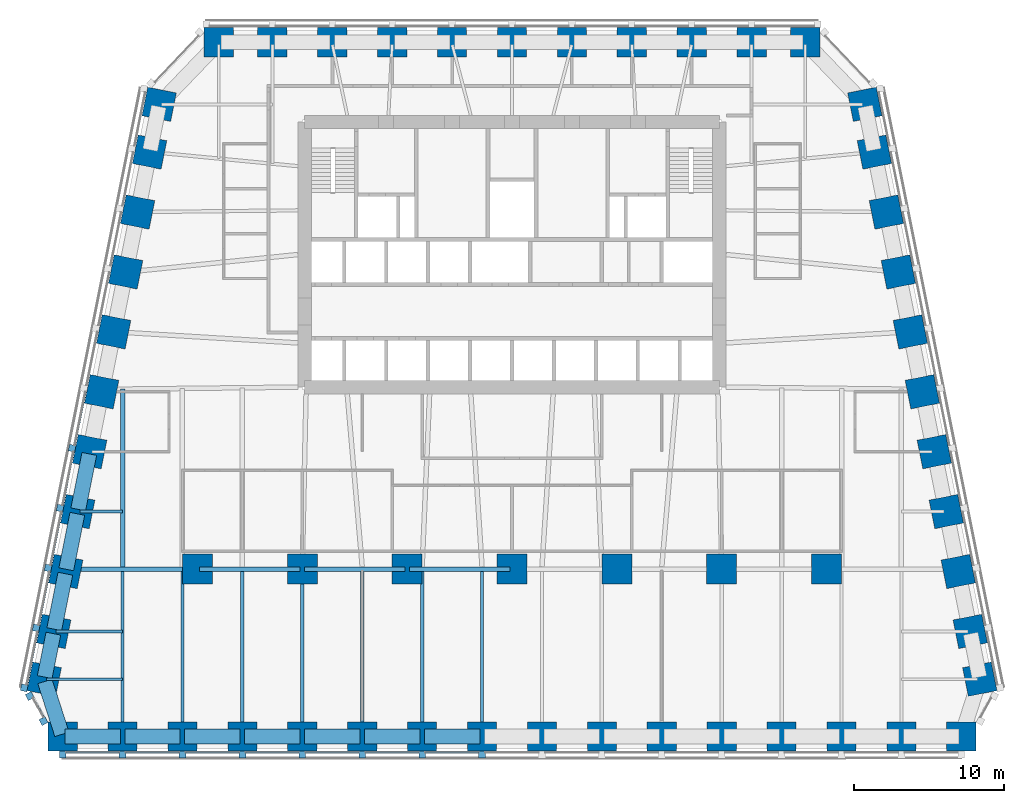
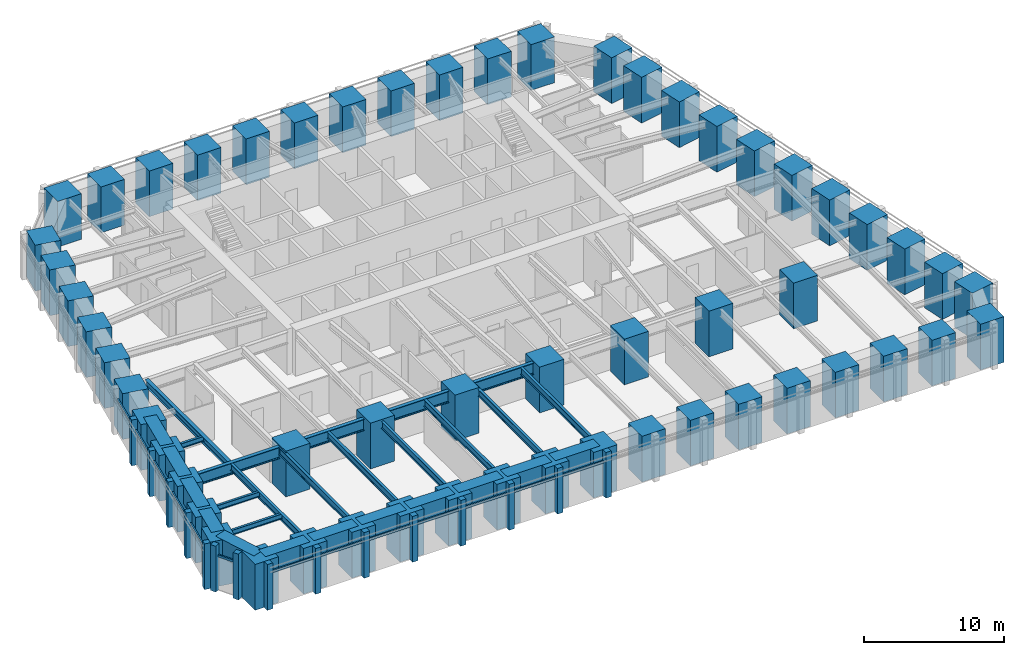
# One storey, part 1 of 10: 56 columns, 28 members, 27 beams, 3 elements without a shape of their own.
"""IFC4 building model written with IfcOpenShell, lengths in metres."""

from ifc_helpers import new_model, si_unit, direction, frame, origin, origin_2d, place, context, subcontext, project, spatial, rectangle, i_section, extrude, material, material_profile, profile_set, type_object, element, aggregate, save


model = new_model("IFC4")

# Units and contexts
model_context = context("Model", 3, precision=1e-05, world=origin(), true_north=direction((0.0, 1.0)))
body_context = subcontext(model_context, "Body", "Model", "MODEL_VIEW")
ifc_project = project(units=[si_unit("LENGTHUNIT", "METRE"), si_unit("AREAUNIT", "SQUARE_METRE"), si_unit("VOLUMEUNIT", "CUBIC_METRE"), si_unit("PLANEANGLEUNIT", "RADIAN"), si_unit("MASSUNIT", "GRAM", prefix="KILO")], contexts=[model_context])

# Site, building, storey
site_placement = place(None, origin())
site = spatial("IfcSite", under=ifc_project, at=site_placement, CompositionType="ELEMENT")
building_placement = place(site_placement, origin())
building = spatial("IfcBuilding", under=site, at=building_placement, Name="Isbrekke Arena Tower", CompositionType="ELEMENT")
storey_placement = place(building_placement, frame((0.0, 0.0, 72.0)))
storey = spatial("IfcBuildingStorey", under=building, at=storey_placement, Name="L15", CompositionType="ELEMENT", Elevation=72.0)

# Columns
ifc_material_1 = material(Name="Concrete B90 (C90/105)", Category="concrete")
ifc_material_profile_1 = material_profile(ifc_material_1, rectangle(XDim=2.0, YDim=2.0, at=origin_2d()), Name="RC 2000x2000")
ifc_profile_set_1 = profile_set([ifc_material_profile_1], Name="Concrete B90 (C90/105)")
column_type_1 = type_object("IfcColumnType", Name="C11 RC 2000 x 2000", PredefinedType="COLUMN", material=ifc_profile_set_1)
for number, where, z_axis, x_axis, name in (
    (1, (-21.0, -6.0, 0.0), (0.0, 0.0, 1.0), (1.0, 0.0, 0.0), "C11 I01"),
    (2, (-14.0, -6.0, 0.0), (0.0, 0.0, 1.0), (1.0, 0.0, 0.0), "C11 I02"),
    (3, (-7.0, -6.0, 0.0), (0.0, 0.0, 1.0), (1.0, 0.0, 0.0), "C11 I03"),
    (4, (0.0, -6.0, 0.0), (0.0, 0.0, 1.0), (1.0, 0.0, 0.0), "C11 I04"),
    (5, (7.0, -6.0, 0.0), (0.0, 0.0, 1.0), (1.0, 0.0, 0.0), "C11 I05"),
    (6, (14.0, -6.0, 0.0), (0.0, 0.0, 1.0), (1.0, 0.0, 0.0), "C11 I06"),
    (7, (21.0, -6.0, 0.0), (0.0, 0.0, 1.0), (1.0, 0.0, 0.0), "C11 I07"),
):
    element("IfcColumn", number, at=place(storey_placement, frame(where, z_axis=z_axis, x_axis=x_axis)), inside=storey, type_object=column_type_1, Name=name, PredefinedType="COLUMN", context=body_context, shape_type="SweptSolid", body=[
        extrude(rectangle(XDim=2.0, YDim=2.0, at=origin_2d()), origin(), (0.0, 0.0, 1.0), 4.0),
    ])
ifc_material_2 = material(Name="Concrete B90 (C90/105)", Category="concrete")
ifc_material_profile_2 = material_profile(ifc_material_2, rectangle(XDim=1.949951171875, YDim=1.949951171875, at=origin_2d()), Name="RC 1950x1950")
ifc_profile_set_2 = profile_set([ifc_material_profile_2], Name="Concrete B90 (C90/105)")
column_type_2 = type_object("IfcColumnType", Name="C2 RC 1950 x 1950", PredefinedType="COLUMN", material=ifc_profile_set_2)
for number, where, z_axis, x_axis, name in (
    (8, (-30.0, -17.175048828125, 0.0), (0.0, 0.0, 1.0), (1.0, 0.0, 0.0), "C2 S01"),
    (9, (-26.0, -17.175048828125, 0.0), (0.0, 0.0, 1.0), (1.0, 0.0, 0.0), "C2 S02"),
    (10, (-22.0, -17.175048828125, 0.0), (0.0, 0.0, 1.0), (1.0, 0.0, 0.0), "C2 S03"),
    (11, (-18.0, -17.175048828125, 0.0), (0.0, 0.0, 1.0), (1.0, 0.0, 0.0), "C2 S04"),
    (12, (-14.0, -17.175048828125, 0.0), (0.0, 0.0, 1.0), (1.0, 0.0, 0.0), "C2 S05"),
    (13, (-10.0, -17.175048828125, 0.0), (0.0, 0.0, 1.0), (1.0, 0.0, 0.0), "C2 S06"),
    (14, (-6.0, -17.175048828125, 0.0), (0.0, 0.0, 1.0), (1.0, 0.0, 0.0), "C2 S07"),
    (15, (-2.0, -17.175048828125, 0.0), (0.0, 0.0, 1.0), (1.0, 0.0, 0.0), "C2 S08"),
    (16, (2.0, -17.175048828125, 0.0), (0.0, 0.0, 1.0), (1.0, 0.0, 0.0), "C2 S09"),
    (17, (6.0, -17.175048828125, 0.0), (0.0, 0.0, 1.0), (1.0, 0.0, 0.0), "C2 S10"),
    (18, (10.0, -17.175048828125, 0.0), (0.0, 0.0, 1.0), (1.0, 0.0, 0.0), "C2 S11"),
    (19, (14.0, -17.175048828125, 0.0), (0.0, 0.0, 1.0), (1.0, 0.0, 0.0), "C2 S12"),
    (20, (18.0, -17.175048828125, 0.0), (0.0, 0.0, 1.0), (1.0, 0.0, 0.0), "C2 S13"),
    (21, (22.0, -17.175048828125, 0.0), (0.0, 0.0, 1.0), (1.0, 0.0, 0.0), "C2 S14"),
    (22, (26.0, -17.175048828125, 0.0), (0.0, 0.0, 1.0), (1.0, 0.0, 0.0), "C2 S15"),
    (23, (30.0, -17.175048828125, 0.0), (0.0, 0.0, 1.0), (1.0, 0.0, 0.0), "C2 S16"),
    (24, (31.229248046875, -13.352783203125, 0.0), (0.0, 0.0, 1.0), (-0.196116135138, 0.980580675691, 0.0), "C2 E01"),
    (25, (30.591064453125, -10.161865234375, 0.0), (0.0, 0.0, 1.0), (-0.196116135138, 0.980580675691, 0.0), "C2 E02"),
    (26, (29.791015625, -6.161865234375, 0.0), (0.0, 0.0, 1.0), (-0.196116135138, 0.980580675691, 0.0), "C2 E03"),
    (27, (28.990966796875, -2.161865234375, 0.0), (0.0, 0.0, 1.0), (-0.196116135138, 0.980580675691, 0.0), "C2 E04"),
    (28, (28.19091796875, 1.838134765625, 0.0), (0.0, 0.0, 1.0), (-0.196116135138, 0.980580675691, 0.0), "C2 E05"),
    (29, (27.39111328125, 5.838134765625, 0.0), (0.0, 0.0, 1.0), (-0.196116135138, 0.980580675691, 0.0), "C2 E06"),
    (30, (26.591064453125, 9.838134765625, 0.0), (0.0, 0.0, 1.0), (-0.196116135138, 0.980580675691, 0.0), "C2 E07"),
    (31, (25.791015625, 13.838134765625, 0.0), (0.0, 0.0, 1.0), (-0.196116135138, 0.980580675691, 0.0), "C2 E08"),
    (32, (24.990966796875, 17.838134765625, 0.0), (0.0, 0.0, 1.0), (-0.196116135138, 0.980580675691, 0.0), "C2 E09"),
    (33, (24.19091796875, 21.838134765625, 0.0), (0.0, 0.0, 1.0), (-0.196116135138, 0.980580675691, 0.0), "C2 E10"),
    (34, (23.552734375, 25.029296875, 0.0), (0.0, 0.0, 1.0), (-0.196116135138, 0.980580675691, 0.0), "C2 E11"),
    (35, (19.574951171875, 29.175048828125, 0.0), (0.0, 0.0, 1.0), (-1.0, 0.0, 0.0), "C2 N01"),
    (36, (16.0, 29.175048828125, 0.0), (0.0, 0.0, 1.0), (-1.0, 0.0, 0.0), "C2 N02"),
    (37, (12.0, 29.175048828125, 0.0), (0.0, 0.0, 1.0), (-1.0, 0.0, 0.0), "C2 N03"),
    (38, (8.0, 29.175048828125, 0.0), (0.0, 0.0, 1.0), (-1.0, 0.0, 0.0), "C2 N04"),
    (39, (4.0, 29.175048828125, 0.0), (0.0, 0.0, 1.0), (-1.0, 0.0, 0.0), "C2 N05"),
    (40, (0.0, 29.175048828125, 0.0), (0.0, 0.0, 1.0), (-1.0, 0.0, 0.0), "C2 N06"),
    (41, (-4.0, 29.175048828125, 0.0), (0.0, 0.0, 1.0), (-1.0, 0.0, 0.0), "C2 N07"),
    (42, (-8.0, 29.175048828125, 0.0), (0.0, 0.0, 1.0), (-1.0, 0.0, 0.0), "C2 N08"),
    (43, (-12.0, 29.175048828125, 0.0), (0.0, 0.0, 1.0), (-1.0, 0.0, 0.0), "C2 N09"),
    (44, (-16.0, 29.175048828125, 0.0), (0.0, 0.0, 1.0), (-1.0, 0.0, 0.0), "C2 N10"),
    (45, (-19.574951171875, 29.175048828125, 0.0), (0.0, 0.0, 1.0), (-1.0, 0.0, 0.0), "C2 N11"),
    (46, (-23.552734375, 25.029296875, 0.0), (0.0, 0.0, 1.0), (-0.196116135138, -0.980580675691, 0.0), "C2 W01"),
    (47, (-24.19091796875, 21.838134765625, 0.0), (0.0, 0.0, 1.0), (-0.196116135138, -0.980580675691, 0.0), "C2 W02"),
    (48, (-24.990966796875, 17.838134765625, 0.0), (0.0, 0.0, 1.0), (-0.196116135138, -0.980580675691, 0.0), "C2 W03"),
    (49, (-25.791015625, 13.838134765625, 0.0), (0.0, 0.0, 1.0), (-0.196116135138, -0.980580675691, 0.0), "C2 W04"),
    (50, (-26.591064453125, 9.838134765625, 0.0), (0.0, 0.0, 1.0), (-0.196116135138, -0.980580675691, 0.0), "C2 W05"),
    (51, (-27.39111328125, 5.838134765625, 0.0), (0.0, 0.0, 1.0), (-0.196116135138, -0.980580675691, 0.0), "C2 W06"),
    (52, (-28.19091796875, 1.838134765625, 0.0), (0.0, 0.0, 1.0), (-0.196116135138, -0.980580675691, 0.0), "C2 W07"),
    (53, (-28.990966796875, -2.161865234375, 0.0), (0.0, 0.0, 1.0), (-0.196116135138, -0.980580675691, 0.0), "C2 W08"),
    (54, (-29.791015625, -6.161865234375, 0.0), (0.0, 0.0, 1.0), (-0.196116135138, -0.980580675691, 0.0), "C2 W09"),
    (55, (-30.591064453125, -10.161865234375, 0.0), (0.0, 0.0, 1.0), (-0.196116135138, -0.980580675691, 0.0), "C2 W10"),
    (56, (-31.229248046875, -13.352783203125, 0.0), (0.0, 0.0, 1.0), (-0.196116135138, -0.980580675691, 0.0), "C2 W11"),
):
    element("IfcColumn", number, at=place(storey_placement, frame(where, z_axis=z_axis, x_axis=x_axis)), inside=storey, type_object=column_type_2, Name=name, PredefinedType="COLUMN", context=body_context, shape_type="SweptSolid", body=[
        extrude(rectangle(XDim=1.949951171875, YDim=1.949951171875, at=origin_2d()), origin(), (0.0, 0.0, 1.0), 4.0),
    ])

# Beams
ifc_material_3 = material(Name="Steel S355", Category="steel")
ifc_material_profile_3 = material_profile(ifc_material_3, i_section(OverallWidth=0.219970703125, OverallDepth=0.60009765625, WebThickness=0.011962890625, FlangeThickness=0.01904296875, FilletRadius=0.02392578125, at=origin_2d()), Name="IPE 600")
ifc_profile_set_3 = profile_set([ifc_material_profile_3], Name="Steel S355")
beam_type_1 = type_object("IfcBeamType", Name="B1 IPE 600", PredefinedType="BEAM", material=ifc_profile_set_3)
for number, where, z_axis, x_axis, name in (
    (57, (-26.0, -17.02490234375, 3.550048828125), (0.0, 1.0, 0.0), (-1.0, 0.0, 0.0), "B1 beam S-S02 L15"),
    (58, (-22.0, -17.02490234375, 3.550048828125), (0.0, 1.0, 0.0), (-1.0, 0.0, 0.0), "B1 beam S-S03 L15"),
    (59, (-18.0, -17.02490234375, 3.550048828125), (0.0, 1.0, 0.0), (-1.0, 0.0, 0.0), "B1 beam S-S04 L15"),
):
    element("IfcBeam", number, at=place(storey_placement, frame(where, z_axis=z_axis, x_axis=x_axis)), inside=storey, type_object=beam_type_1, Name=name, PredefinedType="BEAM", context=body_context, shape_type="SweptSolid", body=[
        extrude(i_section(OverallWidth=0.219970703125, OverallDepth=0.60009765625, WebThickness=0.011962890625, FlangeThickness=0.01904296875, FilletRadius=0.02392578125, at=origin_2d()), origin(), (0.0, 0.0, 1.0), 10.8740234375),
    ])
beam_1_placement = place(storey_placement, frame((-14.0, -17.02490234375, 3.550048828125), z_axis=(0.0, 1.0, 0.0), x_axis=(-1.0, 0.0, 0.0)))
element("IfcBeam", 60, at=beam_1_placement, inside=storey, type_object=beam_type_1, Name="B1 beam S-S05 L15", PredefinedType="BEAM", context=body_context, shape_type="SweptSolid", body=[
    extrude(i_section(OverallWidth=0.219970703125, OverallDepth=0.60009765625, WebThickness=0.011962890625, FlangeThickness=0.01904296875, FilletRadius=0.02392578125, at=origin_2d()), origin(), (0.0, 0.0, 1.0), 10.875),
])
for number, where, z_axis, x_axis, name in (
    (61, (-10.0, -17.02490234375, 3.550048828125), (0.0, 1.0, 0.0), (-1.0, 0.0, 0.0), "B1 beam S-S06 L15"),
    (62, (-6.0, -17.02490234375, 3.550048828125), (0.0, 1.0, 0.0), (-1.0, 0.0, 0.0), "B1 beam S-S07 L15"),
    (63, (-2.0, -17.02490234375, 3.550048828125), (0.0, 1.0, 0.0), (-1.0, 0.0, 0.0), "B1 beam S-S08 L15"),
):
    element("IfcBeam", number, at=place(storey_placement, frame(where, z_axis=z_axis, x_axis=x_axis)), inside=storey, type_object=beam_type_1, Name=name, PredefinedType="BEAM", context=body_context, shape_type="SweptSolid", body=[
        extrude(i_section(OverallWidth=0.219970703125, OverallDepth=0.60009765625, WebThickness=0.011962890625, FlangeThickness=0.01904296875, FilletRadius=0.02392578125, at=origin_2d()), origin(), (0.0, 0.0, 1.0), 10.8740234375),
    ])
ifc_material_4 = material(Name="Steel S355", Category="steel")
ifc_material_profile_4 = material_profile(ifc_material_4, i_section(OverallWidth=0.18994140625, OverallDepth=0.449951171875, WebThickness=0.009521484375, FlangeThickness=0.0146484375, FilletRadius=0.02099609375, at=origin_2d()), Name="IPE 450")
ifc_profile_set_4 = profile_set([ifc_material_profile_4], Name="Steel S355")
beam_type_2 = type_object("IfcBeamType", Name="B2 IPE 450", PredefinedType="BEAM", material=ifc_profile_set_4)
beam_2_placement = place(storey_placement, frame((-28.841064453125, -2.161865234375, 3.625), z_axis=(1.0, 0.0, 0.0), x_axis=(0.0, 1.0, 0.0)))
element("IfcBeam", 64, at=beam_2_placement, inside=storey, type_object=beam_type_2, Name="B2 beam E-W08 L15", PredefinedType="BEAM", context=body_context, shape_type="SweptSolid", body=[
    extrude(i_section(OverallWidth=0.18994140625, OverallDepth=0.449951171875, WebThickness=0.009521484375, FlangeThickness=0.0146484375, FilletRadius=0.02099609375, at=origin_2d()), origin(), (0.0, 0.0, 1.0), 2.841064453125),
])
beam_3_placement = place(storey_placement, frame((-30.44091796875, -10.161865234375, 3.625), z_axis=(1.0, 0.0, 0.0), x_axis=(0.0, 1.0, 0.0)))
element("IfcBeam", 65, at=beam_3_placement, inside=storey, type_object=beam_type_2, Name="B2 beam E-W10 L15", PredefinedType="BEAM", context=body_context, shape_type="SweptSolid", body=[
    extrude(i_section(OverallWidth=0.18994140625, OverallDepth=0.449951171875, WebThickness=0.009521484375, FlangeThickness=0.0146484375, FilletRadius=0.02099609375, at=origin_2d()), origin(), (0.0, 0.0, 1.0), 4.44091796875),
])
beam_4_placement = place(storey_placement, frame((-31.079345703125, -13.352783203125, 3.625), z_axis=(1.0, 0.0, 0.0), x_axis=(0.0, 1.0, 0.0)))
element("IfcBeam", 66, at=beam_4_placement, inside=storey, type_object=beam_type_2, Name="B2 beam E-W11 L15", PredefinedType="BEAM", context=body_context, shape_type="SweptSolid", body=[
    extrude(i_section(OverallWidth=0.18994140625, OverallDepth=0.449951171875, WebThickness=0.009521484375, FlangeThickness=0.0146484375, FilletRadius=0.02099609375, at=origin_2d()), origin(), (0.0, 0.0, 1.0), 5.079345703125),
])
ifc_material_5 = material(Name="Steel S355", Category="steel")
ifc_material_profile_5 = material_profile(ifc_material_5, i_section(OverallWidth=0.300048828125, OverallDepth=0.60009765625, WebThickness=0.015380859375, FlangeThickness=0.030029296875, FilletRadius=0.027099609375, at=origin_2d()), Name="HEB 600")
ifc_profile_set_5 = profile_set([ifc_material_profile_5], Name="Steel S355")
beam_type_3 = type_object("IfcBeamType", Name="B7 HEB 600", PredefinedType="BEAM", material=ifc_profile_set_5)
beam_5_placement = place(storey_placement, frame((-26.0, -5.84912109375, 3.550048828125), z_axis=(0.0, 1.0, 0.0), x_axis=(-1.0, 0.0, 0.0)))
element("IfcBeam", 67, at=beam_5_placement, inside=storey, type_object=beam_type_3, Name="B7 beam C-M01 L15", PredefinedType="BEAM", context=body_context, shape_type="SweptSolid", body=[
    extrude(i_section(OverallWidth=0.300048828125, OverallDepth=0.60009765625, WebThickness=0.015380859375, FlangeThickness=0.030029296875, FilletRadius=0.027099609375, at=origin_2d()), origin(), (0.0, 0.0, 1.0), 11.864990234375),
])

# Curtain wall, members
ifc_material_6 = material(Name="Glazed aluminium curtain wall", Category="aluminium")
curtain_wall_type = type_object("IfcCurtainWallType", Name="CWL TOWER CURTAIN WALL LOW ZONE", PredefinedType="USERDEFINED", material=ifc_material_6)
curtain_wall_1_placement = place(storey_placement, origin())
curtain_wall_1 = element("IfcCurtainWall", 68, at=curtain_wall_1_placement, inside=storey, type_object=curtain_wall_type, Name="CWL curtain wall L15-S", ObjectType="TOWER CURTAIN WALL LOW ZONE", PredefinedType="USERDEFINED")
ifc_material_7 = material(Name="Aluminium mullion, pale brick slip cladding", Category="masonry")
ifc_material_profile_6 = material_profile(ifc_material_7, rectangle(XDim=0.449951171875, YDim=0.449951171875, at=origin_2d()), Name="PIER 450X450")
ifc_profile_set_6 = profile_set([ifc_material_profile_6], Name="Aluminium mullion, pale brick slip cladding")
member_type_1 = type_object("IfcMemberType", Name="CWL-M PIER MULLION 450 x 450", PredefinedType="MULLION", material=ifc_profile_set_6)
member_1_placement = place(storey_placement, frame((-30.0, -18.375, 0.0), z_axis=(0.0, 0.0, 1.0), x_axis=(1.0, 0.0, 0.0)))
member_1 = element("IfcMember", 69, at=member_1_placement, type_object=member_type_1, Name="CWL-M mullion 1", PredefinedType="MULLION", context=body_context, shape_type="SweptSolid", body=[
    extrude(rectangle(XDim=0.449951171875, YDim=0.449951171875, at=origin_2d()), origin(), (0.0, 0.0, 1.0), 4.0),
])
member_2_placement = place(storey_placement, frame((-26.0, -18.375, 0.0), z_axis=(0.0, 0.0, 1.0), x_axis=(1.0, 0.0, 0.0)))
member_2 = element("IfcMember", 70, at=member_2_placement, type_object=member_type_1, Name="CWL-M mullion 2", PredefinedType="MULLION", context=body_context, shape_type="SweptSolid", body=[
    extrude(rectangle(XDim=0.449951171875, YDim=0.449951171875, at=origin_2d()), origin(), (0.0, 0.0, 1.0), 4.0),
])
member_3_placement = place(storey_placement, frame((-22.0, -18.375, 0.0), z_axis=(0.0, 0.0, 1.0), x_axis=(1.0, 0.0, 0.0)))
member_3 = element("IfcMember", 71, at=member_3_placement, type_object=member_type_1, Name="CWL-M mullion 3", PredefinedType="MULLION", context=body_context, shape_type="SweptSolid", body=[
    extrude(rectangle(XDim=0.449951171875, YDim=0.449951171875, at=origin_2d()), origin(), (0.0, 0.0, 1.0), 4.0),
])
member_4_placement = place(storey_placement, frame((-18.0, -18.375, 0.0), z_axis=(0.0, 0.0, 1.0), x_axis=(1.0, 0.0, 0.0)))
member_4 = element("IfcMember", 72, at=member_4_placement, type_object=member_type_1, Name="CWL-M mullion 4", PredefinedType="MULLION", context=body_context, shape_type="SweptSolid", body=[
    extrude(rectangle(XDim=0.449951171875, YDim=0.449951171875, at=origin_2d()), origin(), (0.0, 0.0, 1.0), 4.0),
])
member_5_placement = place(storey_placement, frame((-14.0, -18.375, 0.0), z_axis=(0.0, 0.0, 1.0), x_axis=(1.0, 0.0, 0.0)))
member_5 = element("IfcMember", 73, at=member_5_placement, type_object=member_type_1, Name="CWL-M mullion 5", PredefinedType="MULLION", context=body_context, shape_type="SweptSolid", body=[
    extrude(rectangle(XDim=0.449951171875, YDim=0.449951171875, at=origin_2d()), origin(), (0.0, 0.0, 1.0), 4.0),
])
member_6_placement = place(storey_placement, frame((-10.0, -18.375, 0.0), z_axis=(0.0, 0.0, 1.0), x_axis=(1.0, 0.0, 0.0)))
member_6 = element("IfcMember", 74, at=member_6_placement, type_object=member_type_1, Name="CWL-M mullion 6", PredefinedType="MULLION", context=body_context, shape_type="SweptSolid", body=[
    extrude(rectangle(XDim=0.449951171875, YDim=0.449951171875, at=origin_2d()), origin(), (0.0, 0.0, 1.0), 4.0),
])
member_7_placement = place(storey_placement, frame((-6.0, -18.375, 0.0), z_axis=(0.0, 0.0, 1.0), x_axis=(1.0, 0.0, 0.0)))
member_7 = element("IfcMember", 75, at=member_7_placement, type_object=member_type_1, Name="CWL-M mullion 7", PredefinedType="MULLION", context=body_context, shape_type="SweptSolid", body=[
    extrude(rectangle(XDim=0.449951171875, YDim=0.449951171875, at=origin_2d()), origin(), (0.0, 0.0, 1.0), 4.0),
])
member_8_placement = place(storey_placement, frame((-2.0, -18.375, 0.0), z_axis=(0.0, 0.0, 1.0), x_axis=(1.0, 0.0, 0.0)))
member_8 = element("IfcMember", 76, at=member_8_placement, type_object=member_type_1, Name="CWL-M mullion 8", PredefinedType="MULLION", context=body_context, shape_type="SweptSolid", body=[
    extrude(rectangle(XDim=0.449951171875, YDim=0.449951171875, at=origin_2d()), origin(), (0.0, 0.0, 1.0), 4.0),
])

curtain_wall_2_placement = place(storey_placement, origin())
curtain_wall_2 = element("IfcCurtainWall", 77, at=curtain_wall_2_placement, inside=storey, type_object=curtain_wall_type, Name="CWL curtain wall L15-W", ObjectType="TOWER CURTAIN WALL LOW ZONE", PredefinedType="USERDEFINED")
member_9_placement = place(storey_placement, frame((-29.36767578125, 2.073486328125, 0.0), z_axis=(0.0, 0.0, 1.0), x_axis=(-0.196116135138, -0.980580675691, 0.0)))
member_9 = element("IfcMember", 78, at=member_9_placement, type_object=member_type_1, Name="CWL-M mullion 7", PredefinedType="MULLION", context=body_context, shape_type="SweptSolid", body=[
    extrude(rectangle(XDim=0.449951171875, YDim=0.449951171875, at=origin_2d()), origin(), (0.0, 0.0, 1.0), 4.0),
])
member_10_placement = place(storey_placement, frame((-30.167724609375, -1.926513671875, 0.0), z_axis=(0.0, 0.0, 1.0), x_axis=(-0.196116135138, -0.980580675691, 0.0)))
member_10 = element("IfcMember", 79, at=member_10_placement, type_object=member_type_1, Name="CWL-M mullion 8", PredefinedType="MULLION", context=body_context, shape_type="SweptSolid", body=[
    extrude(rectangle(XDim=0.449951171875, YDim=0.449951171875, at=origin_2d()), origin(), (0.0, 0.0, 1.0), 4.0),
])
member_11_placement = place(storey_placement, frame((-30.9677734375, -5.926513671875, 0.0), z_axis=(0.0, 0.0, 1.0), x_axis=(-0.196116135138, -0.980580675691, 0.0)))
member_11 = element("IfcMember", 80, at=member_11_placement, type_object=member_type_1, Name="CWL-M mullion 9", PredefinedType="MULLION", context=body_context, shape_type="SweptSolid", body=[
    extrude(rectangle(XDim=0.449951171875, YDim=0.449951171875, at=origin_2d()), origin(), (0.0, 0.0, 1.0), 4.0),
])
member_12_placement = place(storey_placement, frame((-31.767822265625, -9.926513671875, 0.0), z_axis=(0.0, 0.0, 1.0), x_axis=(-0.196116135138, -0.980580675691, 0.0)))
member_12 = element("IfcMember", 81, at=member_12_placement, type_object=member_type_1, Name="CWL-M mullion 10", PredefinedType="MULLION", context=body_context, shape_type="SweptSolid", body=[
    extrude(rectangle(XDim=0.449951171875, YDim=0.449951171875, at=origin_2d()), origin(), (0.0, 0.0, 1.0), 4.0),
])
member_13_placement = place(storey_placement, frame((-32.567626953125, -13.926513671875, 0.0), z_axis=(0.0, 0.0, 1.0), x_axis=(-0.196116135138, -0.980580675691, 0.0)))
member_13 = element("IfcMember", 82, at=member_13_placement, type_object=member_type_1, Name="CWL-M mullion 11", PredefinedType="MULLION", context=body_context, shape_type="SweptSolid", body=[
    extrude(rectangle(XDim=0.449951171875, YDim=0.449951171875, at=origin_2d()), origin(), (0.0, 0.0, 1.0), 4.0),
])

curtain_wall_3_placement = place(storey_placement, origin())
curtain_wall_3 = element("IfcCurtainWall", 83, at=curtain_wall_3_placement, inside=storey, type_object=curtain_wall_type, Name="CWL curtain wall L15-WS", ObjectType="TOWER CURTAIN WALL LOW ZONE", PredefinedType="USERDEFINED")
member_14_placement = place(storey_placement, frame((-32.19580078125, -14.474609375, 0.0), z_axis=(0.0, 0.0, 1.0), x_axis=(0.481918749773, -0.876215908676, 0.0)))
member_14 = element("IfcMember", 84, at=member_14_placement, type_object=member_type_1, Name="CWL-M mullion 1", PredefinedType="MULLION", context=body_context, shape_type="SweptSolid", body=[
    extrude(rectangle(XDim=0.449951171875, YDim=0.449951171875, at=origin_2d()), origin(), (0.0, 0.0, 1.0), 4.0),
])
member_15_placement = place(storey_placement, frame((-31.277587890625, -16.14404296875, 0.0), z_axis=(0.0, 0.0, 1.0), x_axis=(0.481918749773, -0.876215908676, 0.0)))
member_15 = element("IfcMember", 85, at=member_15_placement, type_object=member_type_1, Name="CWL-M mullion 2", PredefinedType="MULLION", context=body_context, shape_type="SweptSolid", body=[
    extrude(rectangle(XDim=0.449951171875, YDim=0.449951171875, at=origin_2d()), origin(), (0.0, 0.0, 1.0), 4.0),
])

# Member
ifc_material_8 = material(Name="Aluminium transom", Category="aluminium")
ifc_material_profile_7 = material_profile(ifc_material_8, rectangle(XDim=0.1201171875, YDim=0.199951171875, at=origin_2d()), Name="TRANSOM 120X200")
ifc_profile_set_7 = profile_set([ifc_material_profile_7], Name="Aluminium transom")
member_type_2 = type_object("IfcMemberType", Name="CWL-T TRANSOM 120 x 200", PredefinedType="USERDEFINED", material=ifc_profile_set_7)
member_16_placement = place(storey_placement, frame((-29.77490234375, -18.25, 3.0), z_axis=(1.0, 0.0, 0.0), x_axis=(0.0, 1.0, 0.0)))
member_16 = element("IfcMember", 86, at=member_16_placement, type_object=member_type_2, Name="CWL-T transom 1", ObjectType="TRANSOM", PredefinedType="USERDEFINED", context=body_context, shape_type="SweptSolid", body=[
    extrude(rectangle(XDim=0.1201171875, YDim=0.199951171875, at=origin_2d()), origin(), (0.0, 0.0, 1.0), 3.5498046875),
])

member_17_placement = place(storey_placement, frame((-25.77490234375, -18.25, 3.0), z_axis=(1.0, 0.0, 0.0), x_axis=(0.0, 1.0, 0.0)))
member_17 = element("IfcMember", 87, at=member_17_placement, type_object=member_type_2, Name="CWL-T transom 2", ObjectType="TRANSOM", PredefinedType="USERDEFINED", context=body_context, shape_type="SweptSolid", body=[
    extrude(rectangle(XDim=0.1201171875, YDim=0.199951171875, at=origin_2d()), origin(), (0.0, 0.0, 1.0), 3.5498046875),
])

member_18_placement = place(storey_placement, frame((-21.77490234375, -18.25, 3.0), z_axis=(1.0, 0.0, 0.0), x_axis=(0.0, 1.0, 0.0)))
member_18 = element("IfcMember", 88, at=member_18_placement, type_object=member_type_2, Name="CWL-T transom 3", ObjectType="TRANSOM", PredefinedType="USERDEFINED", context=body_context, shape_type="SweptSolid", body=[
    extrude(rectangle(XDim=0.1201171875, YDim=0.199951171875, at=origin_2d()), origin(), (0.0, 0.0, 1.0), 3.5498046875),
])

member_19_placement = place(storey_placement, frame((-17.77490234375, -18.25, 3.0), z_axis=(1.0, 0.0, 0.0), x_axis=(0.0, 1.0, 0.0)))
member_19 = element("IfcMember", 89, at=member_19_placement, type_object=member_type_2, Name="CWL-T transom 4", ObjectType="TRANSOM", PredefinedType="USERDEFINED", context=body_context, shape_type="SweptSolid", body=[
    extrude(rectangle(XDim=0.1201171875, YDim=0.199951171875, at=origin_2d()), origin(), (0.0, 0.0, 1.0), 3.5498046875),
])

member_20_placement = place(storey_placement, frame((-13.77490234375, -18.25, 3.0), z_axis=(1.0, 0.0, 0.0), x_axis=(0.0, 1.0, 0.0)))
member_20 = element("IfcMember", 90, at=member_20_placement, type_object=member_type_2, Name="CWL-T transom 5", ObjectType="TRANSOM", PredefinedType="USERDEFINED", context=body_context, shape_type="SweptSolid", body=[
    extrude(rectangle(XDim=0.1201171875, YDim=0.199951171875, at=origin_2d()), origin(), (0.0, 0.0, 1.0), 3.5498046875),
])

member_21_placement = place(storey_placement, frame((-9.77490234375, -18.25, 3.0), z_axis=(1.0, 0.0, 0.0), x_axis=(0.0, 1.0, 0.0)))
member_21 = element("IfcMember", 91, at=member_21_placement, type_object=member_type_2, Name="CWL-T transom 6", ObjectType="TRANSOM", PredefinedType="USERDEFINED", context=body_context, shape_type="SweptSolid", body=[
    extrude(rectangle(XDim=0.1201171875, YDim=0.199951171875, at=origin_2d()), origin(), (0.0, 0.0, 1.0), 3.5498046875),
])

member_22_placement = place(storey_placement, frame((-5.77490234375, -18.25, 3.0), z_axis=(1.0, 0.0, 0.0), x_axis=(0.0, 1.0, 0.0)))
member_22 = element("IfcMember", 92, at=member_22_placement, type_object=member_type_2, Name="CWL-T transom 7", ObjectType="TRANSOM", PredefinedType="USERDEFINED", context=body_context, shape_type="SweptSolid", body=[
    extrude(rectangle(XDim=0.1201171875, YDim=0.199951171875, at=origin_2d()), origin(), (0.0, 0.0, 1.0), 3.5498046875),
])

aggregate(curtain_wall_1, [member_1, member_2, member_3, member_4, member_5, member_6, member_7, member_8, member_16, member_17, member_18, member_19, member_20, member_21, member_22])

member_23_placement = place(storey_placement, frame((-28.4892578125, 5.828369140625, 3.0), z_axis=(-0.196103197847, -0.98058326306, 0.0), x_axis=(0.98058326306, -0.196103197847, 0.0)))
member_23 = element("IfcMember", 93, at=member_23_placement, type_object=member_type_2, Name="CWL-T transom 6", ObjectType="TRANSOM", PredefinedType="USERDEFINED", context=body_context, shape_type="SweptSolid", body=[
    extrude(rectangle(XDim=0.1201171875, YDim=0.199951171875, at=origin_2d()), origin(), (0.0, 0.0, 1.0), 3.629150390625),
])

member_24_placement = place(storey_placement, frame((-29.289306640625, 1.828369140625, 3.0), z_axis=(-0.196103197847, -0.98058326306, 0.0), x_axis=(0.98058326306, -0.196103197847, 0.0)))
member_24 = element("IfcMember", 94, at=member_24_placement, type_object=member_type_2, Name="CWL-T transom 7", ObjectType="TRANSOM", PredefinedType="USERDEFINED", context=body_context, shape_type="SweptSolid", body=[
    extrude(rectangle(XDim=0.1201171875, YDim=0.199951171875, at=origin_2d()), origin(), (0.0, 0.0, 1.0), 3.629150390625),
])

member_25_placement = place(storey_placement, frame((-30.08935546875, -2.171630859375, 3.0), z_axis=(-0.196103197847, -0.98058326306, 0.0), x_axis=(0.98058326306, -0.196103197847, 0.0)))
member_25 = element("IfcMember", 95, at=member_25_placement, type_object=member_type_2, Name="CWL-T transom 8", ObjectType="TRANSOM", PredefinedType="USERDEFINED", context=body_context, shape_type="SweptSolid", body=[
    extrude(rectangle(XDim=0.1201171875, YDim=0.199951171875, at=origin_2d()), origin(), (0.0, 0.0, 1.0), 3.629150390625),
])

member_26_placement = place(storey_placement, frame((-30.88916015625, -6.171630859375, 3.0), z_axis=(-0.196167883278, -0.980570324643, 0.0), x_axis=(0.980570324643, -0.196167883278, 0.0)))
member_26 = element("IfcMember", 96, at=member_26_placement, type_object=member_type_2, Name="CWL-T transom 9", ObjectType="TRANSOM", PredefinedType="USERDEFINED", context=body_context, shape_type="SweptSolid", body=[
    extrude(rectangle(XDim=0.1201171875, YDim=0.199951171875, at=origin_2d()), origin(), (0.0, 0.0, 1.0), 3.629150390625),
])

member_27_placement = place(storey_placement, frame((-31.689208984375, -10.171630859375, 3.0), z_axis=(-0.196167883278, -0.980570324643, 0.0), x_axis=(0.980570324643, -0.196167883278, 0.0)))
member_27 = element("IfcMember", 97, at=member_27_placement, type_object=member_type_2, Name="CWL-T transom 10", ObjectType="TRANSOM", PredefinedType="USERDEFINED", context=body_context, shape_type="SweptSolid", body=[
    extrude(rectangle(XDim=0.1201171875, YDim=0.199951171875, at=origin_2d()), origin(), (0.0, 0.0, 1.0), 3.629150390625),
])

aggregate(curtain_wall_2, [member_9, member_10, member_11, member_12, member_13, member_23, member_24, member_25, member_26, member_27])

member_28_placement = place(storey_placement, frame((-31.977783203125, -14.611572265625, 3.0), z_axis=(0.481905867223, -0.876222993955, 0.0), x_axis=(0.876222993955, 0.481905867223, 0.0)))
member_28 = element("IfcMember", 98, at=member_28_placement, type_object=member_type_2, Name="CWL-T transom 1", ObjectType="TRANSOM", PredefinedType="USERDEFINED", context=body_context, shape_type="SweptSolid", body=[
    extrude(rectangle(XDim=0.1201171875, YDim=0.199951171875, at=origin_2d()), origin(), (0.0, 0.0, 1.0), 1.455078125),
])

aggregate(curtain_wall_3, [member_14, member_15, member_28])

# Beams
ifc_material_9 = material(Name="Steel S355", Category="steel")
ifc_material_profile_8 = material_profile(ifc_material_9, i_section(OverallWidth=0.302001953125, OverallDepth=1.008056640625, WebThickness=0.02099609375, FlangeThickness=0.0400390625, FilletRadius=0.030029296875, at=origin_2d()), Name="HEM 1000")
ifc_profile_set_8 = profile_set([ifc_material_profile_8], Name="Steel S355")
beam_type_4 = type_object("IfcBeamType", Name="G1 HEM 1000", PredefinedType="BEAM", material=ifc_profile_set_8)
beam_6_placement = place(storey_placement, frame((-29.791015625, -6.0, 3.345947265625), z_axis=(1.0, 0.0, 0.0), x_axis=(0.0, 1.0, 0.0)))
element("IfcBeam", 99, at=beam_6_placement, inside=storey, type_object=beam_type_4, Name="G1 beam G1-01 L15", PredefinedType="BEAM", context=body_context, shape_type="SweptSolid", body=[
    extrude(i_section(OverallWidth=0.302001953125, OverallDepth=1.008056640625, WebThickness=0.02099609375, FlangeThickness=0.0400390625, FilletRadius=0.030029296875, at=origin_2d()), origin(), (0.0, 0.0, 1.0), 8.64111328125),
])
for number, where, z_axis, x_axis, name in (
    (100, (-20.85009765625, -6.0, 3.345947265625), (1.0, 0.0, 0.0), (0.0, 1.0, 0.0), "G1 beam G1-02 L15"),
    (101, (-13.85009765625, -6.0, 3.345947265625), (1.0, 0.0, 0.0), (0.0, 1.0, 0.0), "G1 beam G1-03 L15"),
    (102, (-6.85009765625, -6.0, 3.345947265625), (1.0, 0.0, 0.0), (0.0, 1.0, 0.0), "G1 beam G1-04 L15"),
):
    element("IfcBeam", number, at=place(storey_placement, frame(where, z_axis=z_axis, x_axis=x_axis)), inside=storey, type_object=beam_type_4, Name=name, PredefinedType="BEAM", context=body_context, shape_type="SweptSolid", body=[
        extrude(i_section(OverallWidth=0.302001953125, OverallDepth=1.008056640625, WebThickness=0.02099609375, FlangeThickness=0.0400390625, FilletRadius=0.030029296875, at=origin_2d()), origin(), (0.0, 0.0, 1.0), 6.7001953125),
    ])
ifc_material_10 = material(Name="Concrete B90 (C90/105)", Category="concrete")
ifc_material_profile_9 = material_profile(ifc_material_10, rectangle(XDim=1.0, YDim=1.60009765625, at=origin_2d()), Name="RC 1000x1600")
ifc_profile_set_9 = profile_set([ifc_material_profile_9], Name="Concrete B90 (C90/105)")
beam_type_5 = type_object("IfcBeamType", Name="SB1 RC 1000 x 1600", PredefinedType="SPANDREL", material=ifc_profile_set_9)
for number, where, z_axis, x_axis, name in (
    (103, (-29.85009765625, -17.175048828125, 3.199951171875), (1.0, 0.0, 0.0), (0.0, 1.0, 0.0), "SB1 spandrel S01-S02 L15"),
    (104, (-25.85009765625, -17.175048828125, 3.199951171875), (1.0, 0.0, 0.0), (0.0, 1.0, 0.0), "SB1 spandrel S02-S03 L15"),
    (105, (-21.85009765625, -17.175048828125, 3.199951171875), (1.0, 0.0, 0.0), (0.0, 1.0, 0.0), "SB1 spandrel S03-S04 L15"),
    (106, (-17.85009765625, -17.175048828125, 3.199951171875), (1.0, 0.0, 0.0), (0.0, 1.0, 0.0), "SB1 spandrel S04-S05 L15"),
    (107, (-13.85009765625, -17.175048828125, 3.199951171875), (1.0, 0.0, 0.0), (0.0, 1.0, 0.0), "SB1 spandrel S05-S06 L15"),
    (108, (-9.85009765625, -17.175048828125, 3.199951171875), (1.0, 0.0, 0.0), (0.0, 1.0, 0.0), "SB1 spandrel S06-S07 L15"),
    (109, (-5.85009765625, -17.175048828125, 3.199951171875), (1.0, 0.0, 0.0), (0.0, 1.0, 0.0), "SB1 spandrel S07-S08 L15"),
):
    element("IfcBeam", number, at=place(storey_placement, frame(where, z_axis=z_axis, x_axis=x_axis)), inside=storey, type_object=beam_type_5, Name=name, PredefinedType="SPANDREL", context=body_context, shape_type="SweptSolid", body=[
        extrude(rectangle(XDim=1.0, YDim=1.60009765625, at=origin_2d()), origin(), (0.0, 0.0, 1.0), 3.7001953125),
    ])
for number, where, z_axis, x_axis, name in (
    (110, (-28.220458984375, 1.691162109375, 3.199951171875), (-0.196128558387, -0.980578190959, 0.0), (0.980578190959, -0.196128558387, 0.0), "SB1 spandrel W07-W08 L15"),
    (111, (-29.0205078125, -2.308837890625, 3.199951171875), (-0.196128558387, -0.980578190959, 0.0), (0.980578190959, -0.196128558387, 0.0), "SB1 spandrel W08-W09 L15"),
):
    element("IfcBeam", number, at=place(storey_placement, frame(where, z_axis=z_axis, x_axis=x_axis)), inside=storey, type_object=beam_type_5, Name=name, PredefinedType="SPANDREL", context=body_context, shape_type="SweptSolid", body=[
        extrude(rectangle(XDim=1.0, YDim=1.60009765625, at=origin_2d()), origin(), (0.0, 0.0, 1.0), 3.779296875),
    ])
beam_7_placement = place(storey_placement, frame((-29.820556640625, -6.308837890625, 3.199951171875), z_axis=(-0.1960664412, -0.980590613169, 0.0), x_axis=(0.980590613169, -0.1960664412, 0.0)))
element("IfcBeam", 112, at=beam_7_placement, inside=storey, type_object=beam_type_5, Name="SB1 spandrel W09-W10 L15", PredefinedType="SPANDREL", context=body_context, shape_type="SweptSolid", body=[
    extrude(rectangle(XDim=1.0, YDim=1.60009765625, at=origin_2d()), origin(), (0.0, 0.0, 1.0), 3.779052734375),
])
beam_8_placement = place(storey_placement, frame((-30.620361328125, -10.308837890625, 3.199951171875), z_axis=(-0.196100243168, -0.980583853951, 0.0), x_axis=(0.980583853951, -0.196100243168, 0.0)))
element("IfcBeam", 113, at=beam_8_placement, inside=storey, type_object=beam_type_5, Name="SB1 spandrel W10-W11 L15", PredefinedType="SPANDREL", context=body_context, shape_type="SweptSolid", body=[
    extrude(rectangle(XDim=1.0, YDim=1.60009765625, at=origin_2d()), origin(), (0.0, 0.0, 1.0), 2.954345703125),
])
beam_9_placement = place(storey_placement, frame((-31.183349609375, -13.49560546875, 3.199951171875), z_axis=(0.306175101476, -0.951975213562, 0.0), x_axis=(0.951975213562, 0.306175101476, 0.0)))
element("IfcBeam", 114, at=beam_9_placement, inside=storey, type_object=beam_type_5, Name="SB1 spandrel W11-S01 L15", PredefinedType="SPANDREL", context=body_context, shape_type="SweptSolid", body=[
    extrude(rectangle(XDim=1.0, YDim=1.60009765625, at=origin_2d()), origin(), (0.0, 0.0, 1.0), 3.715087890625),
])

save(model, "model.ifc")
